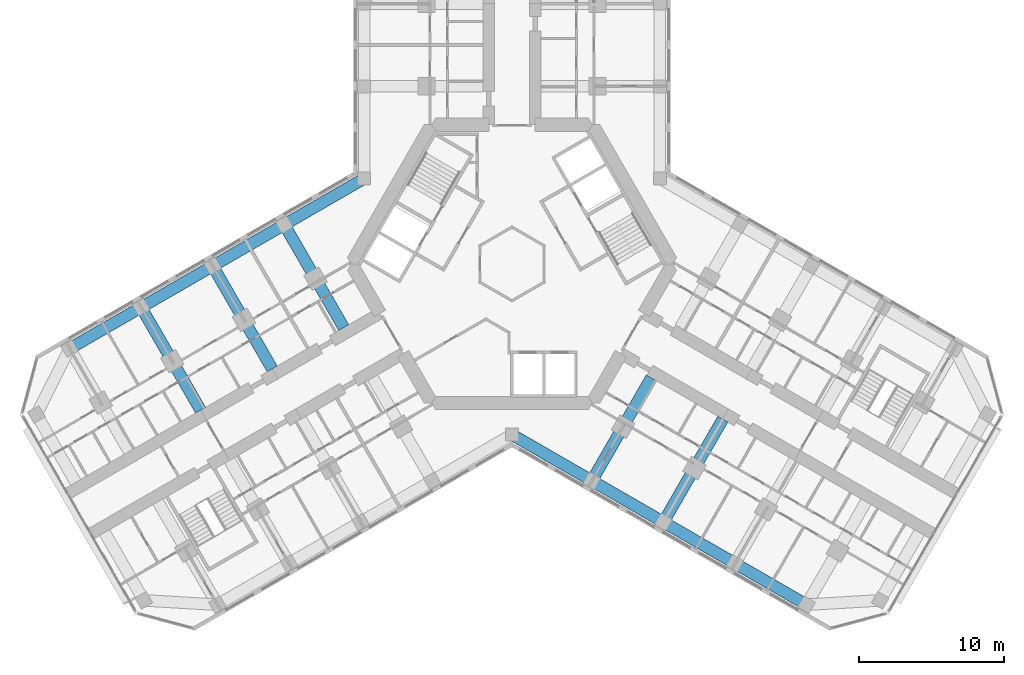
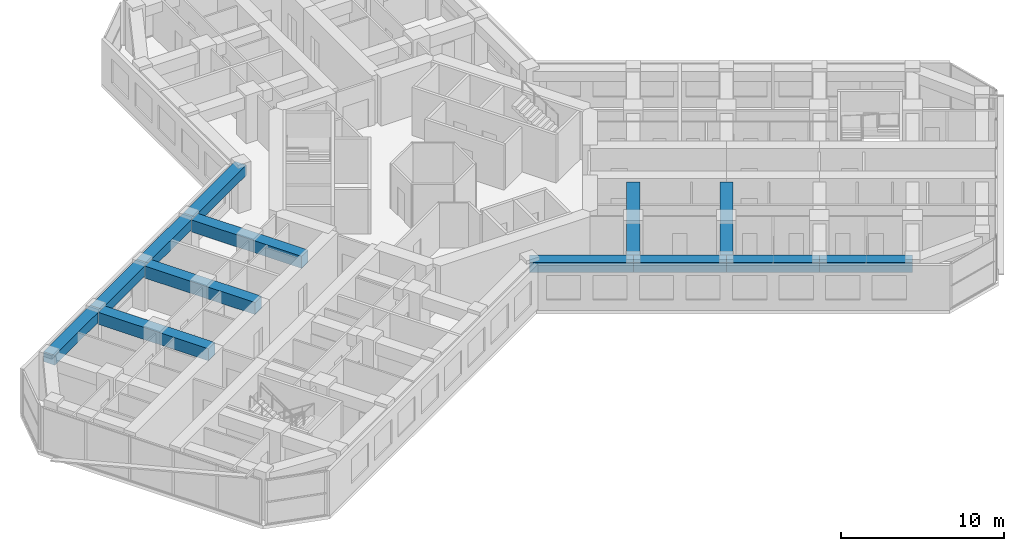
# One storey, part 4 of 19: 13 beams.
"""IFC4 building model written with IfcOpenShell, lengths in metres."""

from ifc_helpers import new_model, si_unit, direction, frame, origin, origin_2d, place, context, subcontext, project, spatial, rectangle, extrude, material, material_profile, profile_set, type_object, element, save


model = new_model("IFC4")

# Units and contexts
model_context = context("Model", 3, precision=1e-05, world=origin(), true_north=direction((0.0, 1.0)))
body_context = subcontext(model_context, "Body", "Model", "MODEL_VIEW")
ifc_project = project(units=[si_unit("LENGTHUNIT", "METRE"), si_unit("AREAUNIT", "SQUARE_METRE"), si_unit("VOLUMEUNIT", "CUBIC_METRE"), si_unit("PLANEANGLEUNIT", "RADIAN"), si_unit("MASSUNIT", "GRAM", prefix="KILO")], contexts=[model_context])

# Site, building, storey
site_placement = place(None, origin())
site = spatial("IfcSite", under=ifc_project, at=site_placement, CompositionType="ELEMENT")
building_placement = place(site_placement, origin())
building = spatial("IfcBuilding", under=site, at=building_placement, Name="Kosmar Iwan School Tower", CompositionType="ELEMENT")
storey_placement = place(building_placement, frame((0.0, 0.0, 138.199951171875)))
storey = spatial("IfcBuildingStorey", under=building, at=storey_placement, Name="L34", CompositionType="ELEMENT", Elevation=138.199951171875)

# Beams
ifc_material_1 = material(Name="Concrete C50/60", Category="concrete")
ifc_material_profile_1 = material_profile(ifc_material_1, rectangle(XDim=0.800048828125, YDim=0.75, at=origin_2d()), Name="RC 800x750")
ifc_profile_set_1 = profile_set([ifc_material_profile_1], Name="Concrete C50/60")
beam_type_1 = type_object("IfcBeamType", Name="RC edge beam 800x750", PredefinedType="BEAM", material=ifc_profile_set_1)
beam_1_placement = place(storey_placement, frame((-10.199951171875, 5.888916015625, 2.97509765625), z_axis=(-0.866030912664, -0.49999045822, 0.0), x_axis=(0.49999045822, -0.866030912664, 0.0)))
element("IfcBeam", 1, at=beam_1_placement, inside=storey, type_object=beam_type_1, Name="Edge beam BR1", PredefinedType="BEAM", context=body_context, shape_type="SweptSolid", body=[
    extrude(rectangle(XDim=0.800048828125, YDim=0.75, at=origin_2d()), origin(), (0.0, 0.0, 1.0), 6.36083984375),
])
beam_2_placement = place(storey_placement, frame((-15.708740234375, 2.70849609375, 2.97509765625), z_axis=(-0.866025820012, -0.499999279071, 0.0), x_axis=(0.499999279071, -0.866025820012, 0.0)))
element("IfcBeam", 2, at=beam_2_placement, inside=storey, type_object=beam_type_1, Name="Edge beam BR2", PredefinedType="BEAM", context=body_context, shape_type="SweptSolid", body=[
    extrude(rectangle(XDim=0.800048828125, YDim=0.75, at=origin_2d()), origin(), (0.0, 0.0, 1.0), 5.7001953125),
])
for number, where, z_axis, x_axis, name in (
    (3, (-20.645263671875, -0.1416015625, 2.97509765625), (-0.866033658841, -0.49998570155, 0.0), (0.49998570155, -0.866033658841, 0.0), "Edge beam BR3"),
    (4, (-25.58154296875, -2.991455078125, 2.97509765625), (-0.866015111908, -0.50001782563, 0.0), (0.50001782563, -0.866015111908, 0.0), "Edge beam BR4"),
):
    element("IfcBeam", number, at=place(storey_placement, frame(where, z_axis=z_axis, x_axis=x_axis)), inside=storey, type_object=beam_type_1, Name=name, PredefinedType="BEAM", context=body_context, shape_type="SweptSolid", body=[
        extrude(rectangle(XDim=0.800048828125, YDim=0.75, at=origin_2d()), origin(), (0.0, 0.0, 1.0), 5.699951171875),
    ])
beam_3_placement = place(storey_placement, frame((0.0, -11.77783203125, 2.97509765625), z_axis=(0.866014293216, -0.500019243575, 0.0), x_axis=(0.500019243575, 0.866014293216, 0.0)))
element("IfcBeam", 5, at=beam_3_placement, inside=storey, type_object=beam_type_1, Name="Edge beam CR1", PredefinedType="BEAM", context=body_context, shape_type="SweptSolid", body=[
    extrude(rectangle(XDim=0.800048828125, YDim=0.75, at=origin_2d()), origin(), (0.0, 0.0, 1.0), 6.361083984375),
])
beam_4_placement = place(storey_placement, frame((5.5087890625, -14.95849609375, 2.97509765625), z_axis=(0.866033658841, -0.49998570155, 0.0), x_axis=(0.49998570155, 0.866033658841, 0.0)))
element("IfcBeam", 6, at=beam_4_placement, inside=storey, type_object=beam_type_1, Name="Edge beam CR2", PredefinedType="BEAM", context=body_context, shape_type="SweptSolid", body=[
    extrude(rectangle(XDim=0.800048828125, YDim=0.75, at=origin_2d()), origin(), (0.0, 0.0, 1.0), 5.699951171875),
])
beam_5_placement = place(storey_placement, frame((10.445068359375, -17.808349609375, 2.97509765625), z_axis=(0.866025820012, -0.499999279071, 0.0), x_axis=(0.499999279071, 0.866025820012, 0.0)))
element("IfcBeam", 7, at=beam_5_placement, inside=storey, type_object=beam_type_1, Name="Edge beam CR3", PredefinedType="BEAM", context=body_context, shape_type="SweptSolid", body=[
    extrude(rectangle(XDim=0.800048828125, YDim=0.75, at=origin_2d()), origin(), (0.0, 0.0, 1.0), 5.7001953125),
])
beam_6_placement = place(storey_placement, frame((15.381591796875, -20.658447265625, 2.97509765625), z_axis=(0.866015111908, -0.50001782563, 0.0), x_axis=(0.50001782563, 0.866015111908, 0.0)))
element("IfcBeam", 8, at=beam_6_placement, inside=storey, type_object=beam_type_1, Name="Edge beam CR4", PredefinedType="BEAM", context=body_context, shape_type="SweptSolid", body=[
    extrude(rectangle(XDim=0.800048828125, YDim=0.75, at=origin_2d()), origin(), (0.0, 0.0, 1.0), 5.699951171875),
])
ifc_material_2 = material(Name="Concrete C50/60", Category="concrete")
ifc_material_profile_2 = material_profile(ifc_material_2, rectangle(XDim=0.800048828125, YDim=0.89990234375, at=origin_2d()), Name="RC 800x900")
ifc_profile_set_2 = profile_set([ifc_material_profile_2], Name="Concrete C50/60")
beam_type_2 = type_object("IfcBeamType", Name="RC transverse beam 800x900", PredefinedType="BEAM", material=ifc_profile_set_2)
for number, where, z_axis, x_axis, name in (
    (9, (-15.708740234375, 2.70849609375, 2.900146484375), (0.499978459874, -0.866037839625, 0.0), (0.866037839625, 0.499978459874, 0.0), "Transverse beam BR1"),
    (10, (-20.645263671875, -0.1416015625, 2.900146484375), (0.500013681986, -0.866017504342, 0.0), (0.866017504342, 0.500013681986, 0.0), "Transverse beam BR2"),
):
    element("IfcBeam", number, at=place(storey_placement, frame(where, z_axis=z_axis, x_axis=x_axis)), inside=storey, type_object=beam_type_2, Name=name, PredefinedType="BEAM", context=body_context, shape_type="SweptSolid", body=[
        extrude(rectangle(XDim=0.800048828125, YDim=0.89990234375, at=origin_2d()), origin(), (0.0, 0.0, 1.0), 8.199951171875),
    ])
for number, where, z_axis, x_axis, name in (
    (11, (-25.58154296875, -2.991455078125, 2.900146484375), (0.500000789788, -0.8660249478, 0.0), (0.8660249478, 0.500000789788, 0.0), "Transverse beam BR3"),
    (12, (5.5087890625, -14.95849609375, 2.900146484375), (0.500000789788, 0.8660249478, 0.0), (-0.8660249478, 0.500000789788, 0.0), "Transverse beam CR1"),
):
    element("IfcBeam", number, at=place(storey_placement, frame(where, z_axis=z_axis, x_axis=x_axis)), inside=storey, type_object=beam_type_2, Name=name, PredefinedType="BEAM", context=body_context, shape_type="SweptSolid", body=[
        extrude(rectangle(XDim=0.800048828125, YDim=0.89990234375, at=origin_2d()), origin(), (0.0, 0.0, 1.0), 8.2001953125),
    ])
beam_7_placement = place(storey_placement, frame((10.445068359375, -17.808349609375, 2.900146484375), z_axis=(0.500013681986, 0.866017504342, 0.0), x_axis=(-0.866017504342, 0.500013681986, 0.0)))
element("IfcBeam", 13, at=beam_7_placement, inside=storey, type_object=beam_type_2, Name="Transverse beam CR2", PredefinedType="BEAM", context=body_context, shape_type="SweptSolid", body=[
    extrude(rectangle(XDim=0.800048828125, YDim=0.89990234375, at=origin_2d()), origin(), (0.0, 0.0, 1.0), 8.199951171875),
])

save(model, "model.ifc")
